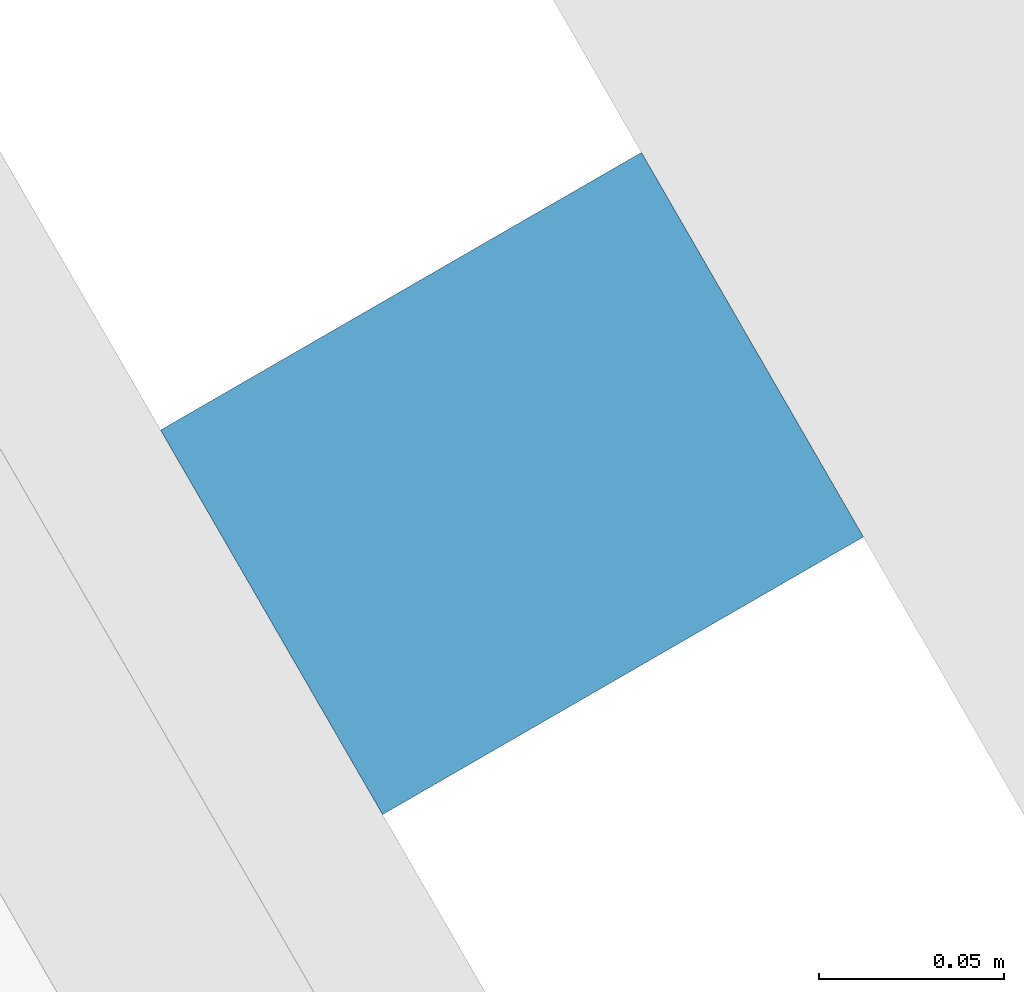
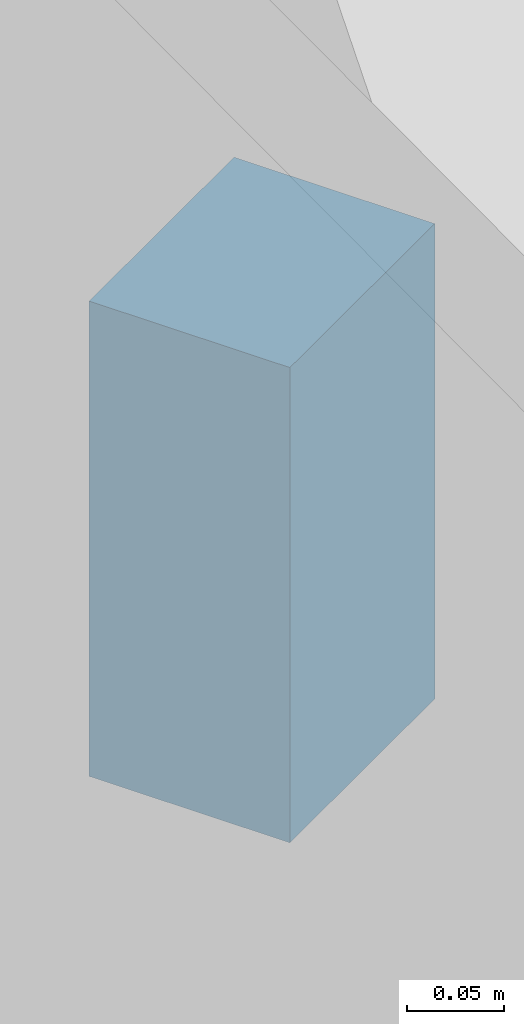
# One storey, part 10 of 12: 1 discrete accessory.
"""IFC4 building model written with IfcOpenShell, lengths in metres."""

from ifc_helpers import new_model, si_unit, direction, frame, origin, place, context, subcontext, project, spatial, polyline, outline, extrude, source, transform, mapped, material, type_object, element, save


model = new_model("IFC4")

# Units and contexts
model_context = context("Model", 3, precision=1e-05, world=origin(), true_north=direction((0.0, 1.0)))
body_context = subcontext(model_context, "Body", "Model", "MODEL_VIEW")
ifc_project = project(units=[si_unit("LENGTHUNIT", "METRE"), si_unit("AREAUNIT", "SQUARE_METRE"), si_unit("VOLUMEUNIT", "CUBIC_METRE"), si_unit("PLANEANGLEUNIT", "RADIAN"), si_unit("MASSUNIT", "GRAM", prefix="KILO")], contexts=[model_context])

# Site, building, storey
site_placement = place(None, origin())
site = spatial("IfcSite", under=ifc_project, at=site_placement, CompositionType="ELEMENT")
building_placement = place(site_placement, origin())
building = spatial("IfcBuilding", under=site, at=building_placement, Name="Altiplano Prism Tower", CompositionType="ELEMENT")
storey_placement = place(building_placement, frame((0.0, 0.0, 316.60009765625)))
storey = spatial("IfcBuildingStorey", under=building, at=storey_placement, Name="L82", CompositionType="ELEMENT", Elevation=316.60009765625)

# Discrete accessory
ifc_material = material(Name="Stainless steel", Category="steel")
discrete_accessory_type = type_object("IfcDiscreteAccessoryType", Name="Stone fin fixing prongs", PredefinedType="USERDEFINED", material=ifc_material)
shared_shape = source(origin(), body_context, "Body", "SweptSolid", [
    extrude(outline(polyline([(-1.06201171875, 2.34521484375), (-0.942138671875, 2.34521484375), (-0.942138671875, 2.645263671875), (-1.06201171875, 2.645263671875), (-1.06201171875, 2.34521484375)])), frame((0.0, 0.0, 0.0), z_axis=(0.0, -1.0, 0.0), x_axis=(1.0, 0.0, 0.0)), (0.0, 0.0, 1.0), 0.14990234375),
])
discrete_accessory_placement = place(storey_placement, origin())
element("IfcDiscreteAccessory", 1, at=discrete_accessory_placement, inside=storey, type_object=discrete_accessory_type, Name="Fin fixings L82 north-east chamfer", ObjectType="BRACKET", PredefinedType="USERDEFINED", context=body_context, shape_type="MappedRepresentation", body=[
    mapped(shared_shape, transform((105.6474609375, 103.35107421875, -0.400146484375), x_axis=(-0.499999978961, 0.866025415932, 0.0), y_axis=(-0.866025415932, -0.499999978961, 0.0), z_axis=(0.0, 0.0, 1.0))),
])

save(model, "model.ifc")
